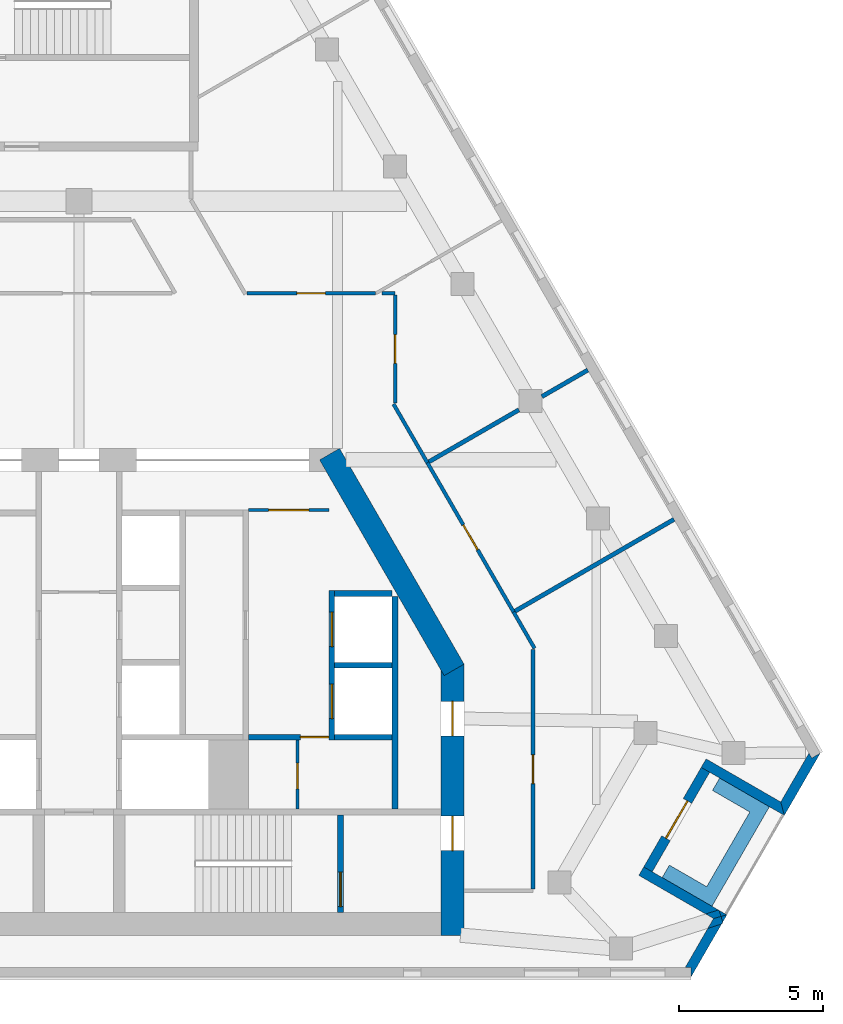
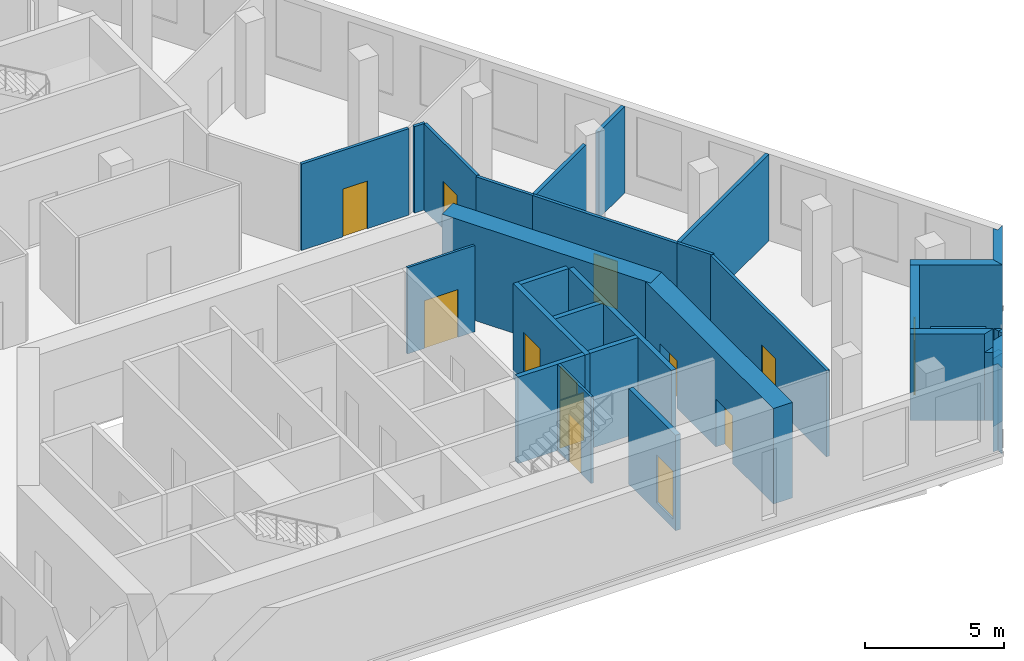
# One storey, part 5 of 8: 31 walls, 13 doors, 13 openings.
"""IFC4 building model written with IfcOpenShell, lengths in metres."""

from ifc_helpers import new_model, si_unit, direction, frame, frame_2d, origin, place, context, subcontext, project, spatial, polyline, rectangle, outline, extrude, material, layer, layer_set, type_object, element, fill, save


model = new_model("IFC4")

# Units and contexts
model_context = context("Model", 3, precision=1e-05, world=origin(), true_north=direction((0.0, 1.0)))
body_context = subcontext(model_context, "Body", "Model", "MODEL_VIEW")
ifc_project = project(units=[si_unit("LENGTHUNIT", "METRE"), si_unit("AREAUNIT", "SQUARE_METRE"), si_unit("VOLUMEUNIT", "CUBIC_METRE"), si_unit("PLANEANGLEUNIT", "RADIAN"), si_unit("MASSUNIT", "GRAM", prefix="KILO")], contexts=[model_context])

# Site, building, storey
site_placement = place(None, origin())
site = spatial("IfcSite", under=ifc_project, at=site_placement, CompositionType="ELEMENT")
building_placement = place(site_placement, origin())
building = spatial("IfcBuilding", under=site, at=building_placement, Name="Fogline Exchange Tower", CompositionType="ELEMENT")
storey_placement = place(building_placement, frame((0.0, 0.0, 270.89990234375)))
storey = spatial("IfcBuildingStorey", under=building, at=storey_placement, Name="L61", CompositionType="ELEMENT", Elevation=270.89990234375)

# Wall, opening, door
ifc_material_1 = material(Name="Blockwork partition", Category="masonry")
ifc_layer_1 = layer(ifc_material_1, 0.10009765625)
ifc_layer_set_1 = layer_set([ifc_layer_1], Name="CW10")
wall_type_1 = type_object("IfcWallType", Name="CW10", PredefinedType="PARTITIONING", material=ifc_layer_set_1)
wall_1_placement = place(storey_placement, frame((5.89990234375, 16.25, 0.0), z_axis=(0.0, 0.0, 1.0), x_axis=(1.0, 0.0, 0.0)))
wall_1 = element("IfcWall", 1, at=wall_1_placement, inside=storey, type_object=wall_type_1, Name="Lift lobby partition", PredefinedType="PARTITIONING", context=body_context, shape_type="SweptSolid", body=[
    extrude(rectangle(XDim=2.800048828125, YDim=0.10009765625, at=frame_2d((1.39990234375, 0.0))), origin(), (0.0, 0.0, 1.0), 3.800048828125),
])
opening_1_placement = place(wall_1_placement, frame((0.699951171875, 0.0, 0.0)))
opening_1 = element("IfcOpeningElement", 2, at=opening_1_placement, cuts=wall_1, Name="Opening T19-C012", PredefinedType="OPENING", context=body_context, shape_type="SweptSolid", body=[
    extrude(rectangle(XDim=1.39990234375, YDim=2.10009765625, at=frame_2d((0.699951171875, 1.050048828125))), frame((0.0, 0.06005859375, 0.0), z_axis=(0.0, -1.0, 0.0), x_axis=(1.0, 0.0, 0.0)), (0.0, 0.0, 1.0), 0.1201171875),
])
ifc_material_2 = material(Name="Steel and timber fire door", Category="steel")
door_type_1 = type_object("IfcDoorType", Name="D-LB1", OperationType="DOUBLE_DOOR_SINGLE_SWING", PredefinedType="DOOR", material=ifc_material_2)
door_1_placement = place(opening_1_placement, origin())
door_1 = element("IfcDoor", 3, at=door_1_placement, inside=storey, type_object=door_type_1, Name="Door to lift lobby", OperationType="DOUBLE_DOOR_SINGLE_SWING", OverallHeight=2.10009765625, OverallWidth=1.39990234375, PredefinedType="DOOR", context=body_context, shape_type="SweptSolid", body=[
    extrude(rectangle(XDim=1.39990234375, YDim=2.10009765625, at=frame_2d((0.699951171875, 1.050048828125))), frame((0.0, 0.02490234375, 0.0), z_axis=(0.0, -1.0, 0.0), x_axis=(1.0, 0.0, 0.0)), (0.0, 0.0, 1.0), 0.050048828125),
])
fill(opening_1, door_1)

wall_2_placement = place(storey_placement, frame((7.60009765625, 5.85009765625, 0.0), z_axis=(0.0, 0.0, 1.0), x_axis=(0.0, 1.0, 0.0)))
wall_2 = element("IfcWall", 4, at=wall_2_placement, inside=storey, type_object=wall_type_1, Name="WC partition", PredefinedType="PARTITIONING", context=body_context, shape_type="SweptSolid", body=[
    extrude(rectangle(XDim=2.39990234375, YDim=0.10009765625, at=frame_2d((1.199951171875, 0.0))), origin(), (0.0, 0.0, 1.0), 3.800048828125),
])
opening_2_placement = place(wall_2_placement, frame((0.699951171875, 0.0, 0.0)))
opening_2 = element("IfcOpeningElement", 5, at=opening_2_placement, cuts=wall_2, Name="Opening T19-C014", PredefinedType="OPENING", context=body_context, shape_type="SweptSolid", body=[
    extrude(rectangle(XDim=0.89990234375, YDim=2.10009765625, at=frame_2d((0.449951171875, 1.050048828125))), frame((0.0, 0.06005859375, 0.0), z_axis=(0.0, -1.0, 0.0), x_axis=(1.0, 0.0, 0.0)), (0.0, 0.0, 1.0), 0.1201171875),
])
door_type_2 = type_object("IfcDoorType", Name="D-CS1", OperationType="SINGLE_SWING_RIGHT", PredefinedType="DOOR", material=ifc_material_2)
door_2_placement = place(opening_2_placement, origin())
door_2 = element("IfcDoor", 6, at=door_2_placement, inside=storey, type_object=door_type_2, Name="Door to Cleaner's Store", OperationType="SINGLE_SWING_LEFT", OverallHeight=2.10009765625, OverallWidth=0.89990234375, PredefinedType="DOOR", context=body_context, shape_type="SweptSolid", body=[
    extrude(rectangle(XDim=0.89990234375, YDim=2.10009765625, at=frame_2d((0.449951171875, 1.050048828125))), frame((0.0, 0.02490234375, 0.0), z_axis=(0.0, -1.0, 0.0), x_axis=(1.0, 0.0, 0.0)), (0.0, 0.0, 1.0), 0.050048828125),
])
fill(opening_2, door_2)

# Wall
ifc_material_3 = material(Name="Concrete C40", Category="concrete")
ifc_layer_2 = layer(ifc_material_3, 0.199951171875)
ifc_layer_set_2 = layer_set([ifc_layer_2], Name="CW20")
wall_type_2 = type_object("IfcWallType", Name="CW20", PredefinedType="SOLIDWALL", material=ifc_layer_set_2)
wall_3_placement = place(storey_placement, frame((11.0, 5.85009765625, 0.0), z_axis=(0.0, 0.0, 1.0), x_axis=(0.0, 1.0, 0.0)))
element("IfcWall", 7, at=wall_3_placement, inside=storey, type_object=wall_type_2, Name="Service room wall", PredefinedType="SOLIDWALL", context=body_context, shape_type="SweptSolid", body=[
    extrude(rectangle(XDim=7.39990234375, YDim=0.199951171875, at=frame_2d((3.699951171875, 0.0))), origin(), (0.0, 0.0, 1.0), 3.800048828125),
])

# Wall, opening, door
wall_4_placement = place(storey_placement, frame((5.89990234375, 8.35009765625, 0.0), z_axis=(0.0, 0.0, 1.0), x_axis=(1.0, 0.0, 0.0)))
wall_4 = element("IfcWall", 8, at=wall_4_placement, inside=storey, type_object=wall_type_2, Name="WC wall", PredefinedType="SOLIDWALL", context=body_context, shape_type="SweptSolid", body=[
    extrude(rectangle(XDim=2.800048828125, YDim=0.199951171875, at=frame_2d((1.39990234375, 0.0))), origin(), (0.0, 0.0, 1.0), 3.800048828125),
])
opening_3_placement = place(wall_4_placement, frame((1.800048828125, 0.0, 0.0)))
opening_3 = element("IfcOpeningElement", 9, at=opening_3_placement, cuts=wall_4, Name="Opening T19-C013", PredefinedType="OPENING", context=body_context, shape_type="SweptSolid", body=[
    extrude(rectangle(XDim=1.0, YDim=2.10009765625, at=frame_2d((0.5, 1.050048828125))), frame((0.0, 0.10986328125, 0.0), z_axis=(0.0, -1.0, 0.0), x_axis=(1.0, 0.0, 0.0)), (0.0, 0.0, 1.0), 0.219970703125),
])
door_type_3 = type_object("IfcDoorType", Name="D-WC1", OperationType="SINGLE_SWING_LEFT", PredefinedType="DOOR", material=ifc_material_2)
door_3_placement = place(opening_3_placement, frame((1.0, 0.0, 0.0), z_axis=(0.0, 0.0, 1.0), x_axis=(-1.0, 0.0, 0.0)))
door_3 = element("IfcDoor", 10, at=door_3_placement, inside=storey, type_object=door_type_3, Name="Door to Women's WC", OperationType="SINGLE_SWING_LEFT", OverallHeight=2.10009765625, OverallWidth=1.0, PredefinedType="DOOR", context=body_context, shape_type="SweptSolid", body=[
    extrude(rectangle(XDim=1.0, YDim=2.10009765625, at=frame_2d((0.5, 1.050048828125))), frame((0.0, 0.02490234375, 0.0), z_axis=(0.0, -1.0, 0.0), x_axis=(1.0, 0.0, 0.0)), (0.0, 0.0, 1.0), 0.050048828125),
])
fill(opening_3, door_3)

ifc_layer_3 = layer(ifc_material_3, 0.199951171875)
ifc_layer_set_3 = layer_set([ifc_layer_3], Name="CW20R")
wall_type_3 = type_object("IfcWallType", Name="CW20R", PredefinedType="SOLIDWALL", material=ifc_layer_set_3)
wall_5_placement = place(storey_placement, frame((9.10009765625, 2.25, -0.39990234375), z_axis=(0.0, 0.0, 1.0), x_axis=(0.0, 1.0, 0.0)))
wall_5 = element("IfcWall", 11, at=wall_5_placement, inside=storey, type_object=wall_type_3, Name="Stair enclosure wall", PredefinedType="SOLIDWALL", context=body_context, shape_type="SweptSolid", body=[
    extrude(rectangle(XDim=3.39990234375, YDim=0.199951171875, at=frame_2d((1.699951171875, 0.0))), origin(), (0.0, 0.0, 1.0), 4.199951171875),
])
opening_4_placement = place(wall_5_placement, frame((0.199951171875, 0.0, 0.39990234375)))
opening_4 = element("IfcOpeningElement", 12, at=opening_4_placement, cuts=wall_5, Name="Opening T19-C016", PredefinedType="OPENING", context=body_context, shape_type="SweptSolid", body=[
    extrude(rectangle(XDim=1.199951171875, YDim=2.10009765625, at=frame_2d((0.60009765625, 1.050048828125))), frame((0.0, 0.10986328125, 0.0), z_axis=(0.0, -1.0, 0.0), x_axis=(1.0, 0.0, 0.0)), (0.0, 0.0, 1.0), 0.219970703125),
])
door_type_4 = type_object("IfcDoorType", Name="D-ST1", OperationType="SINGLE_SWING_LEFT", PredefinedType="DOOR", material=ifc_material_2)
door_4_placement = place(opening_4_placement, origin())
door_4 = element("IfcDoor", 13, at=door_4_placement, inside=storey, type_object=door_type_4, Name="Stair door ST2", OperationType="SINGLE_SWING_LEFT", OverallHeight=2.10009765625, OverallWidth=1.199951171875, PredefinedType="DOOR", context=body_context, shape_type="SweptSolid", body=[
    extrude(rectangle(XDim=1.199951171875, YDim=2.10009765625, at=frame_2d((0.60009765625, 1.050048828125))), frame((0.0, 0.02490234375, 0.0), z_axis=(0.0, -1.0, 0.0), x_axis=(1.0, 0.0, 0.0)), (0.0, 0.0, 1.0), 0.050048828125),
])
fill(opening_4, door_4)

# Wall, openings, doors
ifc_layer_4 = layer(ifc_material_3, 0.199951171875)
ifc_layer_set_4 = layer_set([ifc_layer_4], Name="CW20S")
wall_type_4 = type_object("IfcWallType", Name="CW20S", PredefinedType="SOLIDWALL", material=ifc_layer_set_4)
wall_6_placement = place(storey_placement, frame((8.800048828125, 8.25, -0.39990234375), z_axis=(0.0, 0.0, 1.0), x_axis=(0.0, 1.0, 0.0)))
wall_6 = element("IfcWall", 14, at=wall_6_placement, inside=storey, type_object=wall_type_4, Name="Lift shaft wall", PredefinedType="SOLIDWALL", context=body_context, shape_type="SweptSolid", body=[
    extrude(rectangle(XDim=5.199951171875, YDim=0.199951171875, at=frame_2d((2.60009765625, 0.0))), origin(), (0.0, 0.0, 1.0), 4.199951171875),
])
opening_5_placement = place(wall_6_placement, frame((0.75, 0.0, 0.39990234375)))
opening_5 = element("IfcOpeningElement", 15, at=opening_5_placement, cuts=wall_6, Name="Opening T19-LD02", PredefinedType="OPENING", context=body_context, shape_type="SweptSolid", body=[
    extrude(rectangle(XDim=1.199951171875, YDim=2.10009765625, at=frame_2d((0.60009765625, 1.050048828125))), frame((0.0, 0.10986328125, 0.0), z_axis=(0.0, -1.0, 0.0), x_axis=(1.0, 0.0, 0.0)), (0.0, 0.0, 1.0), 0.219970703125),
])
opening_6_placement = place(wall_6_placement, frame((3.25, 0.0, 0.39990234375)))
opening_6 = element("IfcOpeningElement", 16, at=opening_6_placement, cuts=wall_6, Name="Opening T19-LD03", PredefinedType="OPENING", context=body_context, shape_type="SweptSolid", body=[
    extrude(rectangle(XDim=1.199951171875, YDim=2.10009765625, at=frame_2d((0.60009765625, 1.050048828125))), frame((0.0, 0.10986328125, 0.0), z_axis=(0.0, -1.0, 0.0), x_axis=(1.0, 0.0, 0.0)), (0.0, 0.0, 1.0), 0.219970703125),
])
door_type_5 = type_object("IfcDoorType", Name="LD1", OperationType="SLIDING_TO_LEFT", PredefinedType="DOOR", material=ifc_material_2)
door_5_placement = place(opening_5_placement, origin())
door_5 = element("IfcDoor", 17, at=door_5_placement, inside=storey, type_object=door_type_5, Name="Landing door HR1", OperationType="SLIDING_TO_LEFT", OverallHeight=2.10009765625, OverallWidth=1.199951171875, PredefinedType="DOOR", context=body_context, shape_type="SweptSolid", body=[
    extrude(rectangle(XDim=1.199951171875, YDim=2.10009765625, at=frame_2d((0.60009765625, 1.050048828125))), frame((0.0, 0.02490234375, 0.0), z_axis=(0.0, -1.0, 0.0), x_axis=(1.0, 0.0, 0.0)), (0.0, 0.0, 1.0), 0.050048828125),
])
fill(opening_5, door_5)
door_6_placement = place(opening_6_placement, origin())
door_6 = element("IfcDoor", 18, at=door_6_placement, inside=storey, type_object=door_type_5, Name="Landing door HR2", OperationType="SLIDING_TO_LEFT", OverallHeight=2.10009765625, OverallWidth=1.199951171875, PredefinedType="DOOR", context=body_context, shape_type="SweptSolid", body=[
    extrude(rectangle(XDim=1.199951171875, YDim=2.10009765625, at=frame_2d((0.60009765625, 1.050048828125))), frame((0.0, 0.02490234375, 0.0), z_axis=(0.0, -1.0, 0.0), x_axis=(1.0, 0.0, 0.0)), (0.0, 0.0, 1.0), 0.050048828125),
])
fill(opening_6, door_6)

# Walls
for number, where, z_axis, x_axis, name in (
    (19, (8.89990234375, 8.35009765625, -0.39990234375), (0.0, 0.0, 1.0), (1.0, 0.0, 0.0), "Lift shaft wall"),
    (20, (8.89990234375, 10.85009765625, -0.39990234375), (0.0, 0.0, 1.0), (1.0, 0.0, 0.0), "Lift shaft wall"),
    (21, (8.89990234375, 13.35009765625, -0.39990234375), (0.0, 0.0, 1.0), (1.0, 0.0, 0.0), "Lift shaft wall"),
):
    element("IfcWall", number, at=place(storey_placement, frame(where, z_axis=z_axis, x_axis=x_axis)), inside=storey, type_object=wall_type_4, Name=name, PredefinedType="SOLIDWALL", context=body_context, shape_type="SweptSolid", body=[
        extrude(rectangle(XDim=2.0, YDim=0.199951171875, at=frame_2d((1.0, 0.0))), origin(), (0.0, 0.0, 1.0), 4.199951171875),
    ])
ifc_material_4 = material(Name="Brick masonry", Category="masonry")
ifc_layer_5 = layer(ifc_material_4, 0.340087890625)
ifc_layer_set_5 = layer_set([ifc_layer_5], Name="FW1")
wall_type_5 = type_object("IfcWallType", Name="FW1", PredefinedType="SOLIDWALL", material=ifc_layer_set_5)
wall_7_placement = place(storey_placement, origin())
element("IfcWall", 22, at=wall_7_placement, inside=storey, type_object=wall_type_5, Name="Brick wall L61 SE-c1", PredefinedType="SOLIDWALL", context=body_context, shape_type="SweptSolid", body=[
    extrude(outline(polyline([(22.36474609375, 1.848388671875), (21.882568359375, 1.695556640625), (22.08203125, 2.041015625), (22.3427734375, 2.11083984375), (22.404296875, 1.91650390625), (22.36474609375, 1.848388671875)])), origin(), (0.0, 0.0, 1.0), 3.0),
])
wall_8_placement = place(storey_placement, origin())
element("IfcWall", 23, at=wall_8_placement, inside=storey, type_object=wall_type_5, Name="Brick wall L61 SE-c1", PredefinedType="SOLIDWALL", context=body_context, shape_type="SweptSolid", body=[
    extrude(outline(polyline([(22.404296875, 1.91650390625), (22.3427734375, 2.11083984375), (22.5478515625, 2.166015625), (22.548095703125, 2.165771484375), (22.404296875, 1.91650390625)])), origin(), (0.0, 0.0, 1.0), 3.800048828125),
])
wall_9_placement = place(storey_placement, origin())
element("IfcWall", 24, at=wall_9_placement, inside=storey, type_object=wall_type_5, Name="Brick wall L61 SE-c1", PredefinedType="SOLIDWALL", context=body_context, shape_type="SweptSolid", body=[
    extrude(outline(polyline([(21.296875, -0.001220703125), (21.29638671875, -0.0009765625), (21.29638671875, 0.33935546875), (21.099609375, 0.33935546875), (21.882568359375, 1.695556640625), (22.36474609375, 1.848388671875), (21.296875, -0.001220703125)])), origin(), (0.0, 0.0, 1.0), 3.800048828125),
])
wall_10_placement = place(storey_placement, origin())
element("IfcWall", 25, at=wall_10_placement, inside=storey, type_object=wall_type_5, Name="Brick wall L61 SE-s1", PredefinedType="SOLIDWALL", context=body_context, shape_type="SweptSolid", body=[
    extrude(outline(polyline([(22.275634765625, 2.322265625), (22.343017578125, 2.10986328125), (22.08251953125, 2.0400390625), (21.810302734375, 2.197265625), (22.2509765625, 2.336669921875), (22.275634765625, 2.322265625)])), origin(), (0.0, 0.0, 1.0), 3.0),
])
wall_11_placement = place(storey_placement, origin())
element("IfcWall", 26, at=wall_11_placement, inside=storey, type_object=wall_type_5, Name="Brick wall L61 SE-s1", PredefinedType="SOLIDWALL", context=body_context, shape_type="SweptSolid", body=[
    extrude(outline(polyline([(19.654296875, 3.8359375), (19.94921875, 3.66552734375), (22.2509765625, 2.336669921875), (21.810302734375, 2.197265625), (19.483642578125, 3.540283203125), (19.654296875, 3.8359375)])), origin(), (0.0, 0.0, 1.0), 3.800048828125),
])
wall_12_placement = place(storey_placement, origin())
element("IfcWall", 27, at=wall_12_placement, inside=storey, type_object=wall_type_5, Name="Brick wall L61 SE-s1", PredefinedType="SOLIDWALL", context=body_context, shape_type="SweptSolid", body=[
    extrude(outline(polyline([(22.548095703125, 2.1650390625), (22.548095703125, 2.164794921875), (22.343017578125, 2.10986328125), (22.275634765625, 2.322265625), (22.548095703125, 2.1650390625)])), origin(), (0.0, 0.0, 1.0), 3.800048828125),
])

# Wall, opening, door
wall_13_placement = place(storey_placement, frame((19.8017578125, 3.75, 0.0), z_axis=(0.0, 0.0, 1.0), x_axis=(0.49999894854, 0.866026010844, 0.0)))
wall_13 = element("IfcWall", 28, at=wall_13_placement, inside=storey, type_object=wall_type_5, Name="Brick wall L61 SE-bk", PredefinedType="SOLIDWALL", context=body_context, shape_type="SweptSolid", body=[
    extrude(rectangle(XDim=4.0, YDim=0.340087890625, at=frame_2d((2.0, 0.0))), origin(), (0.0, 0.0, 1.0), 3.800048828125),
])
opening_7_placement = place(wall_13_placement, frame((1.25, 0.0, 0.0)))
opening_7 = element("IfcOpeningElement", 29, at=opening_7_placement, cuts=wall_13, Name="Opening T19-E081", PredefinedType="OPENING", context=body_context, shape_type="SweptSolid", body=[
    extrude(rectangle(XDim=1.5, YDim=2.39990234375, at=frame_2d((0.75, 1.199951171875))), frame((0.0, 0.18017578125, 0.0), z_axis=(0.0, -1.0, 0.0), x_axis=(1.0, 0.0, 0.0)), (0.0, 0.0, 1.0), 0.360107421875),
])
ifc_material_5 = material(Name="Aluminium and glass", Category="aluminium")
door_type_6 = type_object("IfcDoorType", Name="ED4", OperationType="SINGLE_SWING_LEFT", PredefinedType="DOOR", material=ifc_material_5)
door_7_placement = place(opening_7_placement, frame((1.5, 0.0, 0.0), z_axis=(0.0, 0.0, 1.0), x_axis=(-1.0, 0.0, 0.0)))
door_7 = element("IfcDoor", 30, at=door_7_placement, inside=storey, type_object=door_type_6, Name="Balcony door L61 SE", OperationType="DOUBLE_DOOR_SINGLE_SWING", OverallHeight=2.39990234375, OverallWidth=1.5, PredefinedType="DOOR", context=body_context, shape_type="SweptSolid", body=[
    extrude(rectangle(XDim=1.5, YDim=2.39990234375, at=frame_2d((0.75, 1.199951171875))), frame((0.0, 0.02490234375, 0.0), z_axis=(0.0, -1.0, 0.0), x_axis=(1.0, 0.0, 0.0)), (0.0, 0.0, 1.0), 0.050048828125),
])
fill(opening_7, door_7)

# Walls
wall_14_placement = place(storey_placement, origin())
element("IfcWall", 31, at=wall_14_placement, inside=storey, type_object=wall_type_5, Name="Brick wall L61 SE-s2", PredefinedType="SOLIDWALL", context=body_context, shape_type="SweptSolid", body=[
    extrude(outline(polyline([(24.547607421875, 5.628173828125), (21.948486328125, 7.128662109375), (21.653564453125, 7.298828125), (21.82421875, 7.594482421875), (24.423095703125, 6.093994140625), (24.5478515625, 5.62841796875), (24.547607421875, 5.628173828125)])), origin(), (0.0, 0.0, 1.0), 3.800048828125),
])
wall_15_placement = place(storey_placement, origin())
element("IfcWall", 32, at=wall_15_placement, inside=storey, type_object=wall_type_5, Name="Brick wall L61 SE-c2", PredefinedType="SOLIDWALL", context=body_context, shape_type="SweptSolid", body=[
    extrude(outline(polyline([(25.404296875, 7.79541015625), (25.502685546875, 7.625), (25.797607421875, 7.79541015625), (25.798095703125, 7.794921875), (24.546875, 5.6279296875), (24.546630859375, 5.6279296875), (24.421875, 6.09375), (25.404296875, 7.79541015625)])), origin(), (0.0, 0.0, 1.0), 3.800048828125),
])
ifc_material_6 = material(Name="Concrete C30", Category="concrete")
ifc_layer_6 = layer(ifc_material_6, 0.199951171875)
ifc_layer_set_6 = layer_set([ifc_layer_6], Name="PL1")
wall_type_6 = type_object("IfcWallType", Name="PL1", PredefinedType="USERDEFINED", material=ifc_layer_set_6)
wall_16_placement = place(storey_placement, origin())
element("IfcWall", 33, at=wall_16_placement, inside=storey, type_object=wall_type_6, Name="PLANTER balcony L61 SE", ObjectType="PLANTER", PredefinedType="USERDEFINED", context=body_context, shape_type="SweptSolid", body=[
    extrude(outline(polyline([(20.29541015625, 3.465087890625), (21.59423828125, 2.715087890625), (21.59423828125, 2.715087890625), (22.02734375, 2.465087890625), (23.77734375, 5.49609375), (24.02734375, 5.92919921875), (22.29541015625, 6.92919921875), (22.04541015625, 6.49609375), (23.34423828125, 5.74609375), (21.84423828125, 3.148193359375), (20.54541015625, 3.898193359375), (20.29541015625, 3.465087890625)])), origin(), (0.0, 0.0, 1.0), 1.10009765625),
])
ifc_material_7 = material(Name="Plasterboard corridor partition with mineral wool, 2 layers each side")
ifc_layer_7 = layer(ifc_material_7, 0.125)
ifc_layer_set_7 = layer_set([ifc_layer_7], Name="PW2")
wall_type_7 = type_object("IfcWallType", Name="PW2", PredefinedType="PARTITIONING", material=ifc_layer_set_7)
wall_17_placement = place(storey_placement, frame((10.94580078125, 19.942626953125, 0.0), z_axis=(0.0, 0.0, 1.0), x_axis=(0.500018540756, -0.866014699009, 0.0)))
element("IfcWall", 34, at=wall_17_placement, inside=storey, type_object=wall_type_7, Name="wall-L61-W001", PredefinedType="PARTITIONING", context=body_context, shape_type="SweptSolid", body=[
    extrude(rectangle(XDim=2.35546875, YDim=0.125, at=frame_2d((1.177734375, 0.0))), origin(), (0.0, 0.0, 1.0), 3.800048828125),
])
wall_18_placement = place(storey_placement, frame((15.12353515625, 12.70654296875, 0.0), z_axis=(0.0, 0.0, 1.0), x_axis=(0.500002030309, -0.866024231582, 0.0)))
element("IfcWall", 35, at=wall_18_placement, inside=storey, type_object=wall_type_7, Name="wall-L61-W002", PredefinedType="PARTITIONING", context=body_context, shape_type="SweptSolid", body=[
    extrude(rectangle(XDim=1.46142578125, YDim=0.125, at=frame_2d((0.730712890625, 0.0))), origin(), (0.0, 0.0, 1.0), 3.800048828125),
])

# Wall, opening, door
wall_19_placement = place(storey_placement, frame((15.800048828125, 11.409912109375, 0.0), z_axis=(0.0, 0.0, 1.0), x_axis=(0.0, -1.0, 0.0)))
wall_19 = element("IfcWall", 36, at=wall_19_placement, inside=storey, type_object=wall_type_7, Name="wall-L61-W003", PredefinedType="PARTITIONING", context=body_context, shape_type="SweptSolid", body=[
    extrude(rectangle(XDim=8.347412109375, YDim=0.125, at=frame_2d((4.173828125, 0.0))), origin(), (0.0, 0.0, 1.0), 3.800048828125),
])
opening_8_placement = place(wall_19_placement, frame((3.673583984375, 0.0, 0.0)))
opening_8 = element("IfcOpeningElement", 37, at=opening_8_placement, cuts=wall_19, Name="Opening T19-D001", PredefinedType="OPENING", context=body_context, shape_type="SweptSolid", body=[
    extrude(rectangle(XDim=1.0, YDim=2.10009765625, at=frame_2d((0.5, 1.050048828125))), frame((0.0, 0.072509765625, 0.0), z_axis=(0.0, -1.0, 0.0), x_axis=(1.0, 0.0, 0.0)), (0.0, 0.0, 1.0), 0.14501953125),
])
ifc_material_8 = material(Name="Fire-rated timber door leaf with steel frame", Category="steel")
door_type_7 = type_object("IfcDoorType", Name="D3", OperationType="SINGLE_SWING_LEFT", PredefinedType="DOOR", material=ifc_material_8)
door_8_placement = place(opening_8_placement, origin())
door_8 = element("IfcDoor", 38, at=door_8_placement, inside=storey, type_object=door_type_7, Name="door-L61-D001", OperationType="SINGLE_SWING_RIGHT", OverallHeight=2.10009765625, OverallWidth=1.0, PredefinedType="DOOR", context=body_context, shape_type="SweptSolid", body=[
    extrude(rectangle(XDim=1.0, YDim=2.10009765625, at=frame_2d((0.5, 1.050048828125))), frame((0.0, 0.02490234375, 0.0), z_axis=(0.0, -1.0, 0.0), x_axis=(1.0, 0.0, 0.0)), (0.0, 0.0, 1.0), 0.050048828125),
])
fill(opening_8, door_8)

wall_20_placement = place(storey_placement, frame((12.12353515625, 17.90283203125, 0.0), z_axis=(0.0, 0.0, 1.0), x_axis=(0.499990139034, -0.866031096941, 0.0)))
wall_20 = element("IfcWall", 39, at=wall_20_placement, inside=storey, type_object=wall_type_7, Name="wall-L61-W005", PredefinedType="PARTITIONING", context=body_context, shape_type="SweptSolid", body=[
    extrude(rectangle(XDim=6.0, YDim=0.125, at=frame_2d((3.0, 0.0))), origin(), (0.0, 0.0, 1.0), 3.800048828125),
])
opening_9_placement = place(wall_20_placement, frame((2.5, 0.0, 0.0)))
opening_9 = element("IfcOpeningElement", 40, at=opening_9_placement, cuts=wall_20, Name="Opening T19-D002", PredefinedType="OPENING", context=body_context, shape_type="SweptSolid", body=[
    extrude(rectangle(XDim=1.0, YDim=2.10009765625, at=frame_2d((0.5, 1.050048828125))), frame((0.0, 0.072509765625, 0.0), z_axis=(0.0, -1.0, 0.0), x_axis=(1.0, 0.0, 0.0)), (0.0, 0.0, 1.0), 0.14501953125),
])
door_9_placement = place(opening_9_placement, origin())
door_9 = element("IfcDoor", 41, at=door_9_placement, inside=storey, type_object=door_type_7, Name="door-L61-D002", OperationType="SINGLE_SWING_LEFT", OverallHeight=2.10009765625, OverallWidth=1.0, PredefinedType="DOOR", context=body_context, shape_type="SweptSolid", body=[
    extrude(rectangle(XDim=1.0, YDim=2.10009765625, at=frame_2d((0.5, 1.050048828125))), frame((0.0, 0.02490234375, 0.0), z_axis=(0.0, -1.0, 0.0), x_axis=(1.0, 0.0, 0.0)), (0.0, 0.0, 1.0), 0.050048828125),
])
fill(opening_9, door_9)

# Wall
wall_21_placement = place(storey_placement, frame((10.54638671875, 23.800048828125, 0.0), z_axis=(0.0, 0.0, 1.0), x_axis=(1.0, 0.0, 0.0)))
element("IfcWall", 42, at=wall_21_placement, inside=storey, type_object=wall_type_7, Name="wall-L61-W006", PredefinedType="PARTITIONING", context=body_context, shape_type="SweptSolid", body=[
    extrude(rectangle(XDim=0.45361328125, YDim=0.125, at=frame_2d((0.226806640625, 0.0))), origin(), (0.0, 0.0, 1.0), 3.800048828125),
])

# Wall, opening, door
wall_22_placement = place(storey_placement, frame((11.0, 23.737548828125, 0.0), z_axis=(0.0, 0.0, 1.0), x_axis=(0.0, -1.0, 0.0)))
wall_22 = element("IfcWall", 43, at=wall_22_placement, inside=storey, type_object=wall_type_7, Name="wall-L61-W007", PredefinedType="PARTITIONING", context=body_context, shape_type="SweptSolid", body=[
    extrude(rectangle(XDim=3.763916015625, YDim=0.125, at=frame_2d((1.8818359375, 0.0))), origin(), (0.0, 0.0, 1.0), 3.800048828125),
])
opening_10_placement = place(wall_22_placement, frame((1.3818359375, 0.0, 0.0)))
opening_10 = element("IfcOpeningElement", 44, at=opening_10_placement, cuts=wall_22, Name="Opening T19-D003", PredefinedType="OPENING", context=body_context, shape_type="SweptSolid", body=[
    extrude(rectangle(XDim=1.0, YDim=2.10009765625, at=frame_2d((0.5, 1.050048828125))), frame((0.0, 0.072509765625, 0.0), z_axis=(0.0, -1.0, 0.0), x_axis=(1.0, 0.0, 0.0)), (0.0, 0.0, 1.0), 0.14501953125),
])
door_10_placement = place(opening_10_placement, origin())
door_10 = element("IfcDoor", 45, at=door_10_placement, inside=storey, type_object=door_type_7, Name="door-L61-D003", OperationType="SINGLE_SWING_RIGHT", OverallHeight=2.10009765625, OverallWidth=1.0, PredefinedType="DOOR", context=body_context, shape_type="SweptSolid", body=[
    extrude(rectangle(XDim=1.0, YDim=2.10009765625, at=frame_2d((0.5, 1.050048828125))), frame((0.0, 0.02490234375, 0.0), z_axis=(0.0, -1.0, 0.0), x_axis=(1.0, 0.0, 0.0)), (0.0, 0.0, 1.0), 0.050048828125),
])
fill(opening_10, door_10)

wall_23_placement = place(storey_placement, frame((5.84326171875, 23.800048828125, 0.0), z_axis=(0.0, 0.0, 1.0), x_axis=(1.0, 0.0, 0.0)))
wall_23 = element("IfcWall", 46, at=wall_23_placement, inside=storey, type_object=wall_type_7, Name="wall-L61-W008", PredefinedType="PARTITIONING", context=body_context, shape_type="SweptSolid", body=[
    extrude(rectangle(XDim=4.468994140625, YDim=0.125, at=frame_2d((2.234375, 0.0))), origin(), (0.0, 0.0, 1.0), 3.800048828125),
])
opening_11_placement = place(wall_23_placement, frame((1.734619140625, 0.0, 0.0)))
opening_11 = element("IfcOpeningElement", 47, at=opening_11_placement, cuts=wall_23, Name="Opening T19-D004", PredefinedType="OPENING", context=body_context, shape_type="SweptSolid", body=[
    extrude(rectangle(XDim=1.0, YDim=2.10009765625, at=frame_2d((0.5, 1.050048828125))), frame((0.0, 0.072509765625, 0.0), z_axis=(0.0, -1.0, 0.0), x_axis=(1.0, 0.0, 0.0)), (0.0, 0.0, 1.0), 0.14501953125),
])
door_11_placement = place(opening_11_placement, origin())
door_11 = element("IfcDoor", 48, at=door_11_placement, inside=storey, type_object=door_type_7, Name="door-L61-D004", OperationType="SINGLE_SWING_LEFT", OverallHeight=2.10009765625, OverallWidth=1.0, PredefinedType="DOOR", context=body_context, shape_type="SweptSolid", body=[
    extrude(rectangle(XDim=1.0, YDim=2.10009765625, at=frame_2d((0.5, 1.050048828125))), frame((0.0, 0.02490234375, 0.0), z_axis=(0.0, -1.0, 0.0), x_axis=(1.0, 0.0, 0.0)), (0.0, 0.0, 1.0), 0.050048828125),
])
fill(opening_11, door_11)

# Walls
ifc_material_9 = material(Name="Plasterboard demising partition with mineral wool and acoustic board")
ifc_layer_8 = layer(ifc_material_9, 0.14990234375)
ifc_layer_set_8 = layer_set([ifc_layer_8], Name="PW3")
wall_type_8 = type_object("IfcWallType", Name="PW3", PredefinedType="PARTITIONING", material=ifc_layer_set_8)
wall_24_placement = place(storey_placement, frame((17.70703125, 21.12646484375, 0.0), z_axis=(0.0, 0.0, 1.0), x_axis=(-0.866020375458, -0.500008709215, 0.0)))
element("IfcWall", 49, at=wall_24_placement, inside=storey, type_object=wall_type_8, Name="wall-L61-W027", PredefinedType="PARTITIONING", context=body_context, shape_type="SweptSolid", body=[
    extrude(rectangle(XDim=1.845703125, YDim=0.14990234375, at=frame_2d((0.9228515625, 0.0))), origin(), (0.0, 0.0, 1.0), 3.800048828125),
])
wall_25_placement = place(storey_placement, frame((15.30859375, 19.74169921875, 0.0), z_axis=(0.0, 0.0, 1.0), x_axis=(-0.866040526528, -0.499973805724, 0.0)))
element("IfcWall", 50, at=wall_25_placement, inside=storey, type_object=wall_type_8, Name="wall-L61-W028", PredefinedType="PARTITIONING", context=body_context, shape_type="SweptSolid", body=[
    extrude(rectangle(XDim=3.615478515625, YDim=0.14990234375, at=frame_2d((1.8076171875, 0.0))), origin(), (0.0, 0.0, 1.0), 3.800048828125),
])
wall_26_placement = place(storey_placement, frame((15.177490234375, 12.73779296875, 0.0), z_axis=(0.0, 0.0, 1.0), x_axis=(0.866015572945, 0.500017027127, 0.0)))
element("IfcWall", 51, at=wall_26_placement, inside=storey, type_object=wall_type_8, Name="wall-L61-W039", PredefinedType="PARTITIONING", context=body_context, shape_type="SweptSolid", body=[
    extrude(rectangle(XDim=6.385009765625, YDim=0.14990234375, at=frame_2d((3.1923828125, 0.0))), origin(), (0.0, 0.0, 1.0), 3.800048828125),
])

# Wall, openings, doors
ifc_material_10 = material(Name="Concrete C50", Category="concrete")
ifc_layer_9 = layer(ifc_material_10, 0.800048828125)
ifc_layer_set_9 = layer_set([ifc_layer_9], Name="SW04")
wall_type_9 = type_object("IfcWallType", Name="SW04", PredefinedType="SHEAR", material=ifc_layer_set_9)
wall_27_placement = place(storey_placement, frame((13.0, 1.449951171875, 0.0), z_axis=(0.0, 0.0, 1.0), x_axis=(0.0, 1.0, 0.0)))
wall_27 = element("IfcWall", 52, at=wall_27_placement, inside=storey, type_object=wall_type_9, Name="L61-W902", PredefinedType="SHEAR", context=body_context, shape_type="SweptSolid", body=[
    extrude(rectangle(XDim=9.44189453125, YDim=0.800048828125, at=frame_2d((4.720947265625, 0.0))), origin(), (0.0, 0.0, 1.0), 4.2001953125),
])
opening_12_placement = place(wall_27_placement, frame((2.949951171875, 0.0, 0.0)))
opening_12 = element("IfcOpeningElement", 53, at=opening_12_placement, cuts=wall_27, Name="Opening T19-C015", PredefinedType="OPENING", context=body_context, shape_type="SweptSolid", body=[
    extrude(rectangle(XDim=1.199951171875, YDim=2.10009765625, at=frame_2d((0.60009765625, 1.050048828125))), frame((0.0, 0.41015625, 0.0), z_axis=(0.0, -1.0, 0.0), x_axis=(1.0, 0.0, 0.0)), (0.0, 0.0, 1.0), 0.820068359375),
])
opening_13_placement = place(wall_27_placement, frame((6.949951171875, 0.0, 0.0)))
opening_13 = element("IfcOpeningElement", 54, at=opening_13_placement, cuts=wall_27, Name="Opening T19-C017", PredefinedType="OPENING", context=body_context, shape_type="SweptSolid", body=[
    extrude(rectangle(XDim=1.199951171875, YDim=2.10009765625, at=frame_2d((0.60009765625, 1.050048828125))), frame((0.0, 0.41015625, 0.0), z_axis=(0.0, -1.0, 0.0), x_axis=(1.0, 0.0, 0.0)), (0.0, 0.0, 1.0), 0.820068359375),
])
door_type_8 = type_object("IfcDoorType", Name="D-FR1", OperationType="SINGLE_SWING_RIGHT", PredefinedType="DOOR", material=ifc_material_2)
door_12_placement = place(opening_12_placement, origin())
door_12 = element("IfcDoor", 55, at=door_12_placement, inside=storey, type_object=door_type_8, Name="Front room door ST2", OperationType="SINGLE_SWING_RIGHT", OverallHeight=2.10009765625, OverallWidth=1.199951171875, PredefinedType="DOOR", context=body_context, shape_type="SweptSolid", body=[
    extrude(rectangle(XDim=1.199951171875, YDim=2.10009765625, at=frame_2d((0.60009765625, 1.050048828125))), frame((0.0, 0.02490234375, 0.0), z_axis=(0.0, -1.0, 0.0), x_axis=(1.0, 0.0, 0.0)), (0.0, 0.0, 1.0), 0.050048828125),
])
fill(opening_12, door_12)
door_type_9 = type_object("IfcDoorType", Name="D-SV1", OperationType="SINGLE_SWING_LEFT", PredefinedType="DOOR", material=ifc_material_2)
door_13_placement = place(opening_13_placement, origin())
door_13 = element("IfcDoor", 56, at=door_13_placement, inside=storey, type_object=door_type_9, Name="Service door E", OperationType="SINGLE_SWING_RIGHT", OverallHeight=2.10009765625, OverallWidth=1.199951171875, PredefinedType="DOOR", context=body_context, shape_type="SweptSolid", body=[
    extrude(rectangle(XDim=1.199951171875, YDim=2.10009765625, at=frame_2d((0.60009765625, 1.050048828125))), frame((0.0, 0.02490234375, 0.0), z_axis=(0.0, -1.0, 0.0), x_axis=(1.0, 0.0, 0.0)), (0.0, 0.0, 1.0), 0.050048828125),
])
fill(opening_13, door_13)

# Wall
wall_28_placement = place(storey_placement, frame((13.0537109375, 10.69189453125, 0.0), z_axis=(0.0, 0.0, 1.0), x_axis=(-0.500015780397, 0.866016292776, 0.0)))
element("IfcWall", 57, at=wall_28_placement, inside=storey, type_object=wall_type_9, Name="L61-W903", PredefinedType="SHEAR", context=body_context, shape_type="SweptSolid", body=[
    extrude(rectangle(XDim=8.669677734375, YDim=0.800048828125, at=frame_2d((4.3349609375, 0.0))), origin(), (0.0, 0.0, 1.0), 4.2001953125),
])

save(model, "model.ifc")
